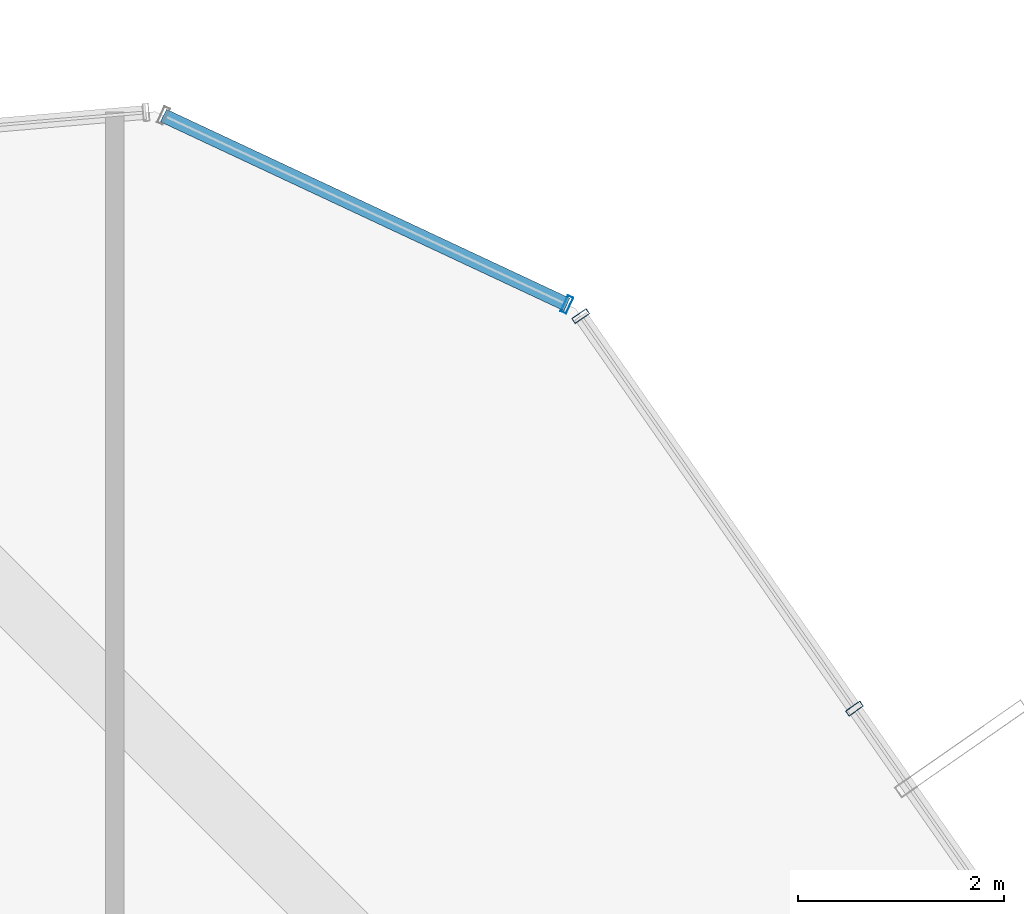
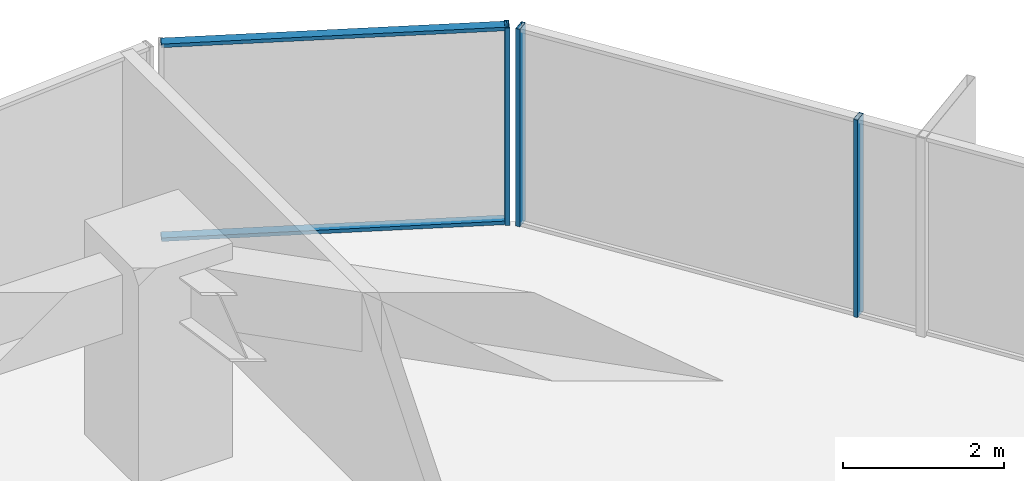
# One storey, part 31 of 37: 5 members, 2 elements without a shape of their own.
"""IFC4 building model written with IfcOpenShell, lengths in metres."""

from ifc_helpers import new_model, si_unit, direction, frame, origin, origin_2d, place, context, subcontext, project, spatial, hollow_rectangle, extrude, source, transform, mapped, material, layer, layer_set, material_profile, profile_set, type_object, element, aggregate, save


model = new_model("IFC4")

# Units and contexts
model_context = context("Model", 3, precision=1e-05, world=origin(), true_north=direction((0.0, 1.0)))
body_context = subcontext(model_context, "Body", "Model", "MODEL_VIEW")
ifc_project = project(units=[si_unit("LENGTHUNIT", "METRE"), si_unit("AREAUNIT", "SQUARE_METRE"), si_unit("VOLUMEUNIT", "CUBIC_METRE"), si_unit("PLANEANGLEUNIT", "RADIAN"), si_unit("MASSUNIT", "GRAM", prefix="KILO")], contexts=[model_context])

# Site, building, storey
site_placement = place(None, origin())
site = spatial("IfcSite", under=ifc_project, at=site_placement, CompositionType="ELEMENT")
building_placement = place(site_placement, origin())
building = spatial("IfcBuilding", under=site, at=building_placement, Name="Veraguas Prism Commons", CompositionType="ELEMENT")
storey_placement = place(building_placement, frame((0.0, 0.0, 40.300048828125)))
storey = spatial("IfcBuildingStorey", under=building, at=storey_placement, Name="L10", CompositionType="ELEMENT", Elevation=40.300048828125)

# Curtain wall, members
ifc_material = material(Name="Anodised aluminium EN AW-6063 T6", Category="aluminium")
ifc_layer = layer(ifc_material, 0.169921875, Name="Unitised Flush Curtain Wall Zone 1", Category="aluminium")
ifc_layer_set = layer_set([ifc_layer], Name="Anodised aluminium EN AW-6063 T6")
curtain_wall_type = type_object("IfcCurtainWallType", Name="Unitised Flush Curtain Wall Zone 1", PredefinedType="NOTDEFINED", material=ifc_layer_set)
curtain_wall_1_placement = place(storey_placement, origin())
curtain_wall_1 = element("IfcCurtainWall", 1, at=curtain_wall_1_placement, inside=storey, type_object=curtain_wall_type, Name="Tower Facade Curtain Wall L10-F1", PredefinedType="NOTDEFINED")
ifc_material_profile_1 = material_profile(ifc_material, hollow_rectangle(XDim=0.06005859375, YDim=0.169921875, WallThickness=0.00390625, at=origin_2d()), Name="AL60X170X4")
ifc_profile_set_1 = profile_set([ifc_material_profile_1], Name="Anodised aluminium EN AW-6063 T6")
member_type_1 = type_object("IfcMemberType", Name="Curtain Wall Mullion Lower AL 60x170x4", PredefinedType="MULLION", material=ifc_profile_set_1)
shared_shape_1 = source(origin(), body_context, "Body", "SweptSolid", [
    extrude(hollow_rectangle(XDim=0.06005859375, YDim=0.169921875, WallThickness=0.00390625, at=origin_2d()), origin(), (0.0, 0.0, 1.0), 3.0),
])
member_1_placement = place(storey_placement, frame((38.3740234375, 39.72265625, 0.0), z_axis=(0.0, 0.0, 1.0), x_axis=(-0.572145873446, 0.820151875874, 0.0)))
member_1 = element("IfcMember", 2, at=member_1_placement, type_object=member_type_1, Name="CW-Z1 Mullion 4", PredefinedType="MULLION", context=body_context, shape_type="MappedRepresentation", body=[
    mapped(shared_shape_1, transform((0.0, 0.0, 0.0), scale=1.0)),
])
member_2_placement = place(storey_placement, frame((35.71875, 43.529052734375, 0.0), z_axis=(0.0, 0.0, 1.0), x_axis=(-0.572145873446, 0.820151875874, 0.0)))
member_2 = element("IfcMember", 3, at=member_2_placement, type_object=member_type_1, Name="CW-Z1 Mullion 5", PredefinedType="MULLION", context=body_context, shape_type="MappedRepresentation", body=[
    mapped(shared_shape_1, transform((0.0, 0.0, 0.0), scale=1.0)),
])
aggregate(curtain_wall_1, [member_1, member_2])

curtain_wall_2_placement = place(storey_placement, origin())
curtain_wall_2 = element("IfcCurtainWall", 4, at=curtain_wall_2_placement, inside=storey, type_object=curtain_wall_type, Name="Chamfer Curtain Wall L10-C2", PredefinedType="NOTDEFINED")
member_3_placement = place(storey_placement, frame((35.5859375, 43.64111328125, 0.0), z_axis=(0.0, 0.0, 1.0), x_axis=(-0.905581384863, 0.424172553792, 0.0)))
member_3 = element("IfcMember", 5, at=member_3_placement, type_object=member_type_1, Name="CW-Z1 Mullion 1", PredefinedType="MULLION", context=body_context, shape_type="MappedRepresentation", body=[
    mapped(shared_shape_1, transform((0.0, 0.0, 0.0), scale=1.0)),
])
ifc_material_profile_2 = material_profile(ifc_material, hollow_rectangle(XDim=0.054931640625, YDim=0.135009765625, WallThickness=0.0029296875, at=origin_2d()), Name="AL55X135X3")
ifc_profile_set_2 = profile_set([ifc_material_profile_2], Name="Anodised aluminium EN AW-6063 T6")
member_type_2 = type_object("IfcMemberType", Name="Curtain Wall Transom Standard AL 55x135x3", PredefinedType="USERDEFINED", material=ifc_profile_set_2)
shared_shape_2 = source(origin(), body_context, "Body", "SweptSolid", [
    extrude(hollow_rectangle(XDim=0.054931640625, YDim=0.135009765625, WallThickness=0.0029296875, at=origin_2d()), origin(), (0.0, 0.0, 1.0), 4.320068359375),
])
member_4_placement = place(storey_placement, frame((35.5859375, 43.64111328125, 0.02734375), z_axis=(-0.905604800143, 0.424122560067, 0.0), x_axis=(0.0, 0.0, 1.0)))
member_4 = element("IfcMember", 6, at=member_4_placement, type_object=member_type_2, Name="CW-Z1 Transom 1", ObjectType="TRANSOM", PredefinedType="USERDEFINED", context=body_context, shape_type="MappedRepresentation", body=[
    mapped(shared_shape_2, transform((0.0, 0.0, 0.0), scale=1.0)),
])
member_5_placement = place(storey_placement, frame((35.5859375, 43.64111328125, 2.972412109375), z_axis=(-0.905604800143, 0.424122560067, 0.0), x_axis=(0.0, 0.0, 1.0)))
member_5 = element("IfcMember", 7, at=member_5_placement, type_object=member_type_2, Name="CW-Z1 Transom 2", ObjectType="TRANSOM", PredefinedType="USERDEFINED", context=body_context, shape_type="MappedRepresentation", body=[
    mapped(shared_shape_2, transform((0.0, 0.0, 0.0), scale=1.0)),
])
aggregate(curtain_wall_2, [member_3, member_4, member_5])

save(model, "model.ifc")
